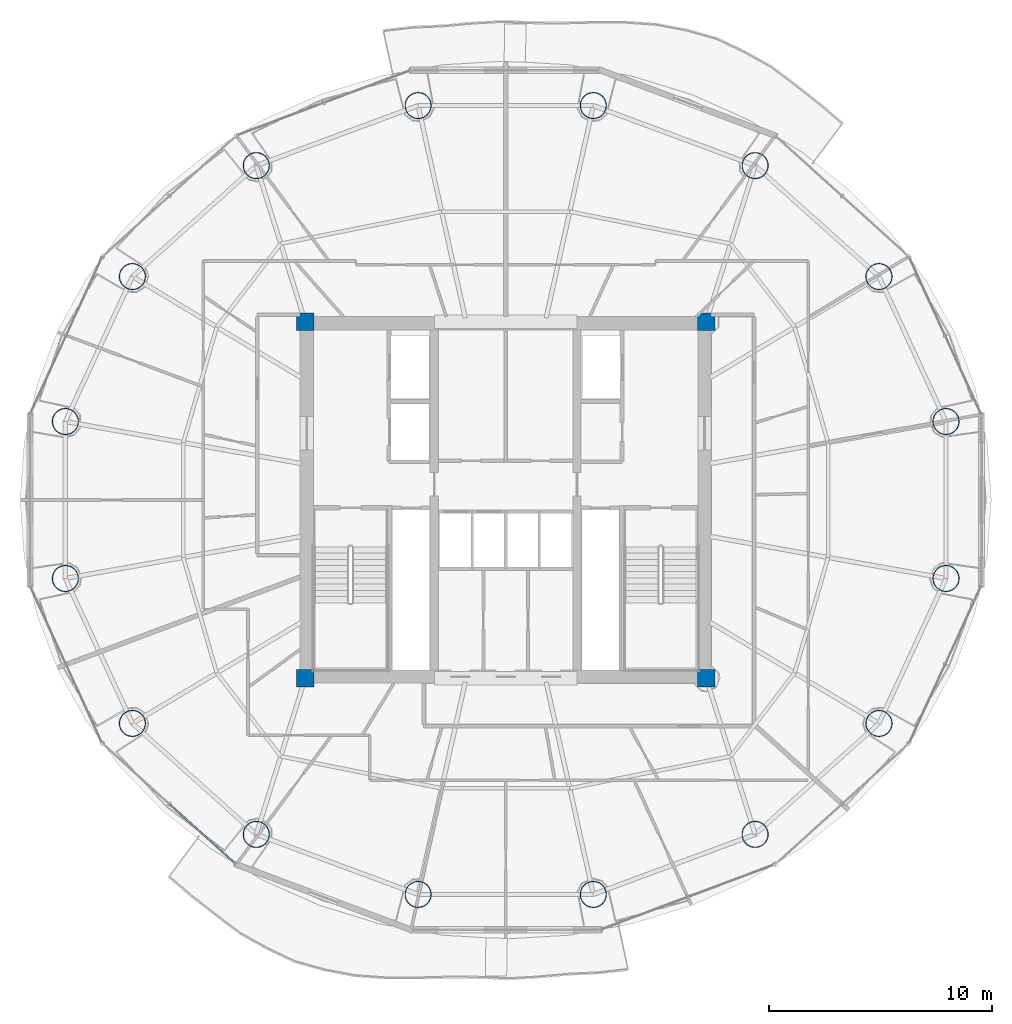
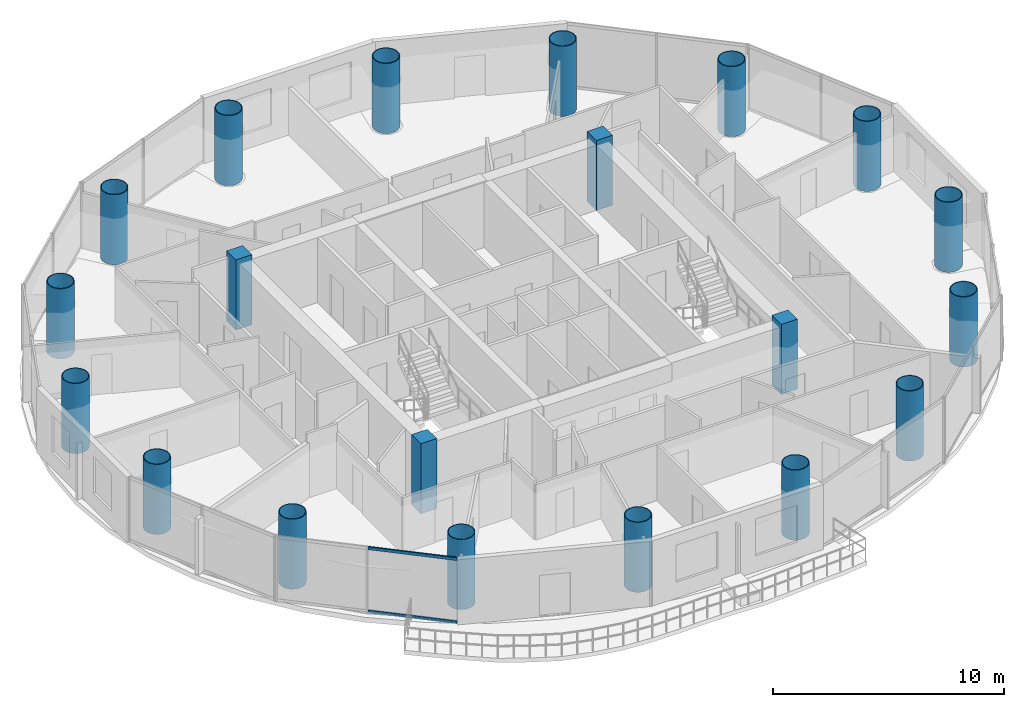
# One storey, part 1 of 26: 20 columns, 2 members, 1 element without a shape of its own.
"""IFC4 building model written with IfcOpenShell, lengths in metres."""

from ifc_helpers import new_model, si_unit, direction, frame, origin, origin_2d, place, context, subcontext, project, spatial, rectangle, hollow_rectangle, hollow_circle, extrude, source, transform, mapped, material, material_profile, profile_set, type_object, element, aggregate, save


model = new_model("IFC4")

# Units and contexts
model_context = context("Model", 3, precision=1e-05, world=origin(), true_north=direction((-0.2419218956, 0.970295726276)))
body_context = subcontext(model_context, "Body", "Model", "MODEL_VIEW")
ifc_project = project(units=[si_unit("LENGTHUNIT", "METRE"), si_unit("AREAUNIT", "SQUARE_METRE"), si_unit("VOLUMEUNIT", "CUBIC_METRE"), si_unit("PLANEANGLEUNIT", "RADIAN"), si_unit("MASSUNIT", "GRAM", prefix="KILO")], contexts=[model_context])

# Site, building, storey
site_placement = place(None, origin())
site = spatial("IfcSite", under=ifc_project, at=site_placement, CompositionType="ELEMENT")
building_placement = place(site_placement, origin())
building = spatial("IfcBuilding", under=site, at=building_placement, Name="Cobrevalo Terracotta Tower", CompositionType="ELEMENT")
storey_placement = place(building_placement, frame((0.0, 0.0, 209.699951171875)))
storey = spatial("IfcBuildingStorey", under=building, at=storey_placement, Name="L55", CompositionType="ELEMENT", Elevation=209.699951171875)

# Columns
ifc_material_1 = material(Name="Steel S355", Category="steel")
ifc_material_profile_1 = material_profile(ifc_material_1, hollow_circle(Radius=0.60009765625, WallThickness=0.0380859375, at=origin_2d()), Name="CHS 1200x38")
ifc_profile_set_1 = profile_set([ifc_material_profile_1], Name="Steel S355")
column_type_1 = type_object("IfcColumnType", Name="Structural Column CHS 1200x38 (Steel S355)", PredefinedType="COLUMN", material=ifc_profile_set_1)
for number, where, z_axis, x_axis, name in (
    (1, (57.762939453125, 30.3212890625, 0.0), (0.0, 0.0, 1.0), (1.0, 0.0, 0.0), "L55 composite megacolumn MC01"),
    (2, (54.754150390625, 36.828125, 0.0), (0.0, 0.0, 1.0), (1.0, 0.0, 0.0), "L55 composite megacolumn MC02"),
    (3, (49.19482421875, 41.80810546875, 0.0), (0.0, 0.0, 1.0), (1.0, 0.0, 0.0), "L55 composite megacolumn MC03"),
    (4, (41.93115234375, 44.503173828125, 0.0), (0.0, 0.0, 1.0), (1.0, 0.0, 0.0), "L55 composite megacolumn MC04"),
    (5, (34.06884765625, 44.503173828125, 0.0), (0.0, 0.0, 1.0), (1.0, 0.0, 0.0), "L55 composite megacolumn MC05"),
    (6, (26.80517578125, 41.80810546875, 0.0), (0.0, 0.0, 1.0), (1.0, 0.0, 0.0), "L55 composite megacolumn MC06"),
    (7, (21.245849609375, 36.828125, 0.0), (0.0, 0.0, 1.0), (1.0, 0.0, 0.0), "L55 composite megacolumn MC07"),
    (8, (18.237060546875, 30.3212890625, 0.0), (0.0, 0.0, 1.0), (1.0, 0.0, 0.0), "L55 composite megacolumn MC08"),
    (9, (18.237060546875, 23.278564453125, 0.0), (0.0, 0.0, 1.0), (1.0, 0.0, 0.0), "L55 composite megacolumn MC09"),
    (10, (21.245849609375, 16.77197265625, 0.0), (0.0, 0.0, 1.0), (1.0, 0.0, 0.0), "L55 composite megacolumn MC10"),
    (11, (26.80517578125, 11.7919921875, 0.0), (0.0, 0.0, 1.0), (1.0, 0.0, 0.0), "L55 composite megacolumn MC11"),
    (12, (34.06884765625, 9.096923828125, 0.0), (0.0, 0.0, 1.0), (1.0, 0.0, 0.0), "L55 composite megacolumn MC12"),
    (13, (41.93115234375, 9.096923828125, 0.0), (0.0, 0.0, 1.0), (1.0, 0.0, 0.0), "L55 composite megacolumn MC13"),
    (14, (49.19482421875, 11.7919921875, 0.0), (0.0, 0.0, 1.0), (1.0, 0.0, 0.0), "L55 composite megacolumn MC14"),
    (15, (54.754150390625, 16.77197265625, 0.0), (0.0, 0.0, 1.0), (1.0, 0.0, 0.0), "L55 composite megacolumn MC15"),
    (16, (57.762939453125, 23.278564453125, 0.0), (0.0, 0.0, 1.0), (1.0, 0.0, 0.0), "L55 composite megacolumn MC16"),
):
    element("IfcColumn", number, at=place(storey_placement, frame(where, z_axis=z_axis, x_axis=x_axis)), inside=storey, type_object=column_type_1, Name=name, PredefinedType="COLUMN", context=body_context, shape_type="SweptSolid", body=[
        extrude(hollow_circle(Radius=0.60009765625, WallThickness=0.0380859375, at=origin_2d()), origin(), (0.0, 0.0, 1.0), 3.699951171875),
    ])
ifc_material_2 = material(Name="Concrete C50", Category="concrete")
ifc_material_profile_2 = material_profile(ifc_material_2, rectangle(XDim=0.800048828125, YDim=0.800048828125, at=origin_2d()), Name="RC COL 800x800")
ifc_profile_set_2 = profile_set([ifc_material_profile_2], Name="Concrete C50")
column_type_2 = type_object("IfcColumnType", Name="Structural Column RC COL 800x800 (Concrete C50)", PredefinedType="COLUMN", material=ifc_profile_set_2)
for number, where, z_axis, x_axis, name in (
    (17, (29.0, 18.800048828125, 0.0), (0.0, 0.0, 1.0), (1.0, 0.0, 0.0), "L55 core corner column CC1"),
    (18, (47.0, 18.800048828125, 0.0), (0.0, 0.0, 1.0), (1.0, 0.0, 0.0), "L55 core corner column CC2"),
    (19, (47.0, 34.800048828125, 0.0), (0.0, 0.0, 1.0), (1.0, 0.0, 0.0), "L55 core corner column CC3"),
    (20, (29.0, 34.800048828125, 0.0), (0.0, 0.0, 1.0), (1.0, 0.0, 0.0), "L55 core corner column CC4"),
):
    element("IfcColumn", number, at=place(storey_placement, frame(where, z_axis=z_axis, x_axis=x_axis)), inside=storey, type_object=column_type_2, Name=name, PredefinedType="COLUMN", context=body_context, shape_type="SweptSolid", body=[
        extrude(rectangle(XDim=0.800048828125, YDim=0.800048828125, at=origin_2d()), origin(), (0.0, 0.0, 1.0), 3.699951171875),
    ])

# Curtain wall, members
ifc_material_3 = material(Name="Anodized aluminium", Category="aluminium")
curtain_wall_type = type_object("IfcCurtainWallType", Name="Mid-tower high-wind unitised curtain wall CW-U2", PredefinedType="NOTDEFINED", material=ifc_material_3)
curtain_wall_placement = place(storey_placement, origin())
curtain_wall = element("IfcCurtainWall", 21, at=curtain_wall_placement, inside=storey, type_object=curtain_wall_type, Name="L55 curtain wall CW-L55-S10", PredefinedType="NOTDEFINED")
ifc_material_profile_3 = material_profile(ifc_material_3, hollow_rectangle(XDim=0.074951171875, YDim=0.14990234375, WallThickness=0.00439453125, at=origin_2d()), Name="CWT 75x150")
ifc_profile_set_3 = profile_set([ifc_material_profile_3], Name="Anodized aluminium")
member_type = type_object("IfcMemberType", Name="Tower unitised aluminium transom 75x150", PredefinedType="USERDEFINED", material=ifc_profile_set_3)
shared_shape = source(origin(), body_context, "Body", "SweptSolid", [
    extrude(hollow_rectangle(XDim=0.074951171875, YDim=0.14990234375, WallThickness=0.00439453125, at=origin_2d()), origin(), (0.0, 0.0, 1.0), 3.927734375),
])
member_1_placement = place(storey_placement, frame((22.931640625, 13.131591796875, 0.050048828125), z_axis=(0.742003891138, -0.670395573923, 0.0), x_axis=(0.670395573923, 0.742003891138, 0.0)))
member_1 = element("IfcMember", 22, at=member_1_placement, type_object=member_type, Name="CW-L55-S10 transom B02-T1", ObjectType="TRANSOM", PredefinedType="USERDEFINED", context=body_context, shape_type="MappedRepresentation", body=[
    mapped(shared_shape, transform((0.0, 0.0, 0.0), scale=1.0)),
])
member_2_placement = place(storey_placement, frame((22.931640625, 13.131591796875, 3.385009765625), z_axis=(0.742003891138, -0.670395573923, 0.0), x_axis=(0.670395573923, 0.742003891138, 0.0)))
member_2 = element("IfcMember", 23, at=member_2_placement, type_object=member_type, Name="CW-L55-S10 transom B02-T2", ObjectType="TRANSOM", PredefinedType="USERDEFINED", context=body_context, shape_type="MappedRepresentation", body=[
    mapped(shared_shape, transform((0.0, 0.0, 0.0), scale=1.0)),
])
aggregate(curtain_wall, [member_1, member_2])

save(model, "model.ifc")
